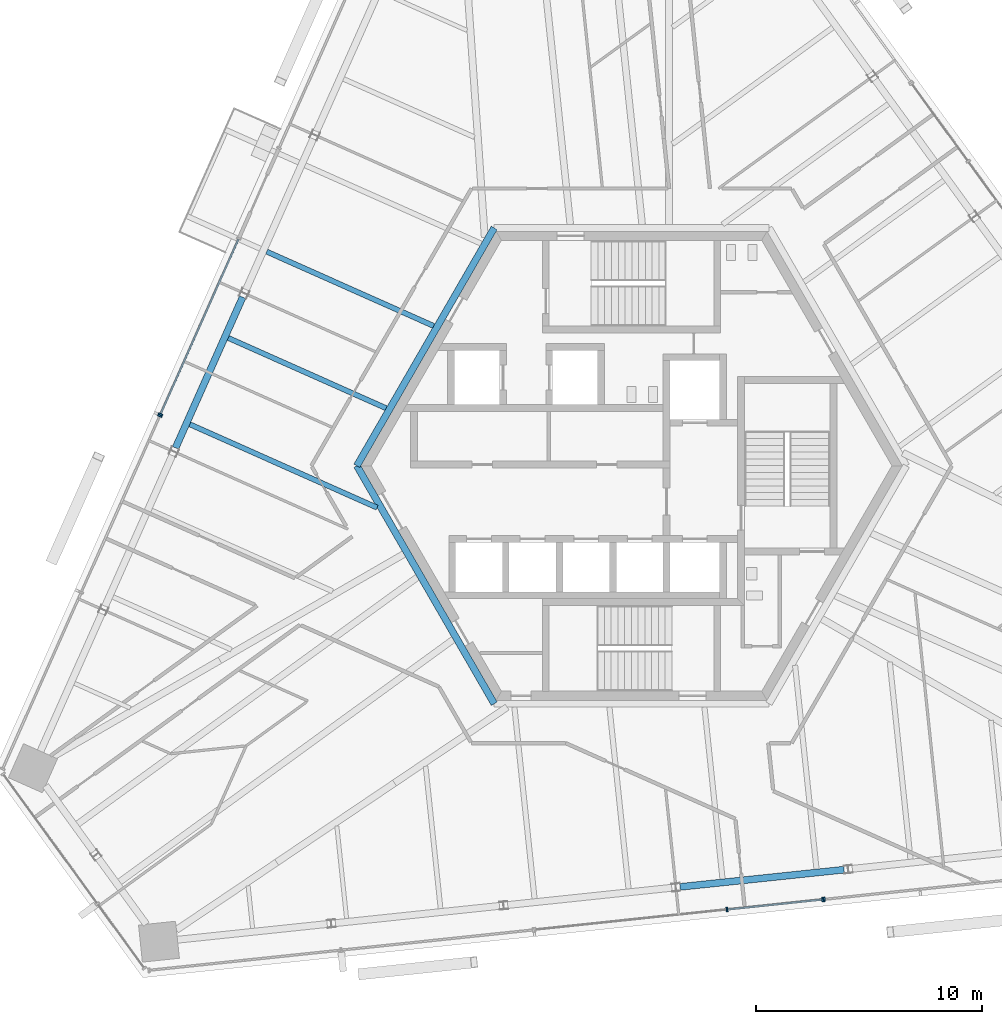
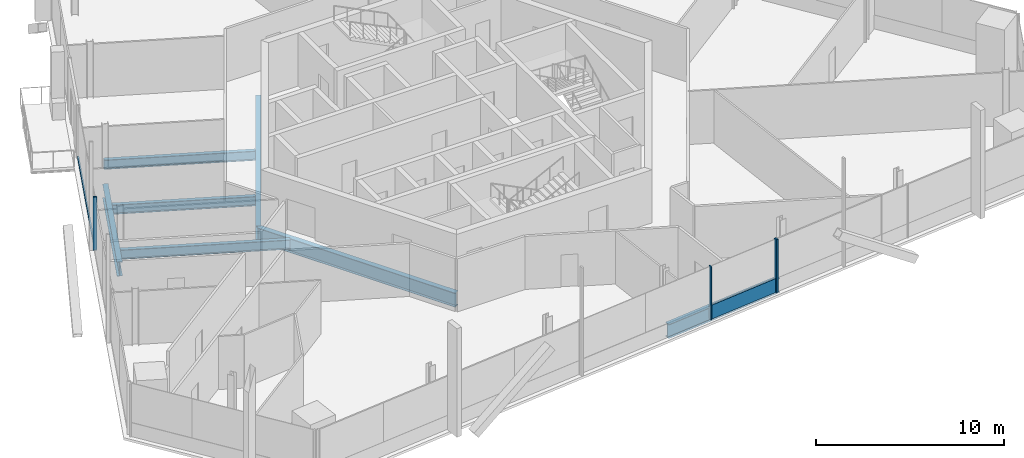
# One storey, part 5 of 20: 7 beams, 7 members, 4 elements without a shape of their own.
"""IFC4 building model written with IfcOpenShell, lengths in metres."""

import ifcopenshell
import ifcopenshell.guid

model = None  # the IFC model being written
_history = None  # IfcOwnerHistory: only IFC2X3 demands one
_inside = {}  # id of a spatial element -> (the spatial element, [elements in it])
_under = {}  # id of a project, library or spatial element -> (it, [spatial elements below it])
_declared = {}  # id of a project -> (the project, [libraries it declares])
_typed = {}  # id of a type object -> (the type object, [elements of that type])
_made_of = {}  # id of a material, layer set ... -> (it, [elements and type objects made of it])


def new_model(schema):
    """Start an empty IFC model of exactly this schema.

    Asked for "IFC4X3", IfcOpenShell would pick the latest addendum, in which some entities
    have other attributes; the version numbers below select the first issue.
    IFC2X3 requires an IfcOwnerHistory on every rooted entity: one is made here for all.
    """
    global model, _history
    if schema == "IFC4X3":
        model = ifcopenshell.file(schema_version=(4, 3, 0, 0))
    else:
        model = ifcopenshell.file(schema=schema)
    _inside.clear()
    _under.clear()
    _declared.clear()
    _typed.clear()
    _made_of.clear()
    _history = None
    if model.schema == "IFC2X3":
        org = make("IfcOrganization", Name="unknown")
        user = make(
            "IfcPersonAndOrganization",
            ThePerson=make("IfcPerson", FamilyName="unknown"),
            TheOrganization=org,
        )
        app = make(
            "IfcApplication",
            ApplicationDeveloper=org,
            Version="unknown",
            ApplicationFullName="unknown",
            ApplicationIdentifier="unknown",
        )
        _history = make(
            "IfcOwnerHistory",
            OwningUser=user,
            OwningApplication=app,
            ChangeAction="ADDED",
            CreationDate=0,
        )
    return model


def make(cls, **values):
    """One entity of the class cls with the attributes given. An attribute that is None is left unset."""
    return model.create_entity(
        cls, **{name: value for name, value in values.items() if value is not None}
    )


def rooted(cls, **values):
    """An entity with a GlobalId (a new one), such as an element, a storey or a relation."""
    return make(cls, GlobalId=ifcopenshell.guid.new(), OwnerHistory=_history, **values)


def si_unit(unit_type, name, prefix=None):
    """IfcSIUnit, for example si_unit("LENGTHUNIT", "METRE", prefix="MILLI")."""
    return make("IfcSIUnit", UnitType=unit_type, Prefix=prefix, Name=name)


def assignment(units):
    """IfcUnitAssignment: the units of a project."""
    return None if units is None else make("IfcUnitAssignment", Units=units)


def point(xyz):
    """IfcCartesianPoint."""
    return None if xyz is None else make("IfcCartesianPoint", Coordinates=xyz)


def direction(xyz):
    """IfcDirection."""
    return None if xyz is None else make("IfcDirection", DirectionRatios=xyz)


def frame(location, z_axis=None, x_axis=None):
    """IfcAxis2Placement3D, a coordinate frame: its origin and axes. An axis left out is left unset."""
    return make(
        "IfcAxis2Placement3D",
        Location=point(location),
        Axis=direction(z_axis),
        RefDirection=direction(x_axis),
    )


def frame_2d(location, x_axis=None):
    """IfcAxis2Placement2D, a coordinate frame in the plane: its origin and x axis."""
    return make(
        "IfcAxis2Placement2D", Location=point(location), RefDirection=direction(x_axis)
    )


def origin():
    """The frame at (0, 0, 0) with its axes left unset."""
    return frame((0.0, 0.0, 0.0))


def origin_2d():
    """The frame at (0, 0) in the plane with its x axis left unset."""
    return frame_2d((0.0, 0.0))


def place(relative_to, where):
    """IfcLocalPlacement: puts the frame where relative to a parent placement (None: the world)."""
    return make(
        "IfcLocalPlacement", PlacementRelTo=relative_to, RelativePlacement=where
    )


def context(
    kind, dimensions, precision=None, world=None, true_north=None, identifier=None
):
    """IfcGeometricRepresentationContext, for example the 3D "Model" context."""
    return make(
        "IfcGeometricRepresentationContext",
        ContextIdentifier=identifier,
        ContextType=kind,
        CoordinateSpaceDimension=dimensions,
        Precision=precision,
        WorldCoordinateSystem=world,
        TrueNorth=true_north,
    )


def subcontext(parent, identifier, kind, view, scale=None):
    """IfcGeometricRepresentationSubContext, for example "Body" below "Model"."""
    return make(
        "IfcGeometricRepresentationSubContext",
        ContextIdentifier=identifier,
        ContextType=kind,
        ParentContext=parent,
        TargetScale=scale,
        TargetView=view,
    )


def project(units=None, contexts=None):
    """IfcProject with its units and contexts."""
    return rooted(
        "IfcProject",
        Name="project",
        RepresentationContexts=contexts,
        UnitsInContext=assignment(units),
    )


def spatial(cls, under=None, at=None, **own):
    """A site, building, storey or space (cls), placed at a placement, below another one or the project."""
    s = rooted(cls, ObjectPlacement=at, **own)
    if under is not None:
        _under.setdefault(under.id(), (under, []))[1].append(s)
    return s


def profile(cls, at=None, kind="AREA", **sizes):
    """A parametric profile (cls). Its sizes go by their IFC names, for example OverallWidth=200.0."""
    return make(cls, ProfileType=kind, Position=at, **sizes)


def rectangle(**sizes):
    """IfcRectangleProfileDef."""
    return profile("IfcRectangleProfileDef", **sizes)


def i_section(**sizes):
    """IfcIShapeProfileDef."""
    return profile("IfcIShapeProfileDef", **sizes)


def extrude(swept, where, along, depth):
    """IfcExtrudedAreaSolid: the profile swept, set in the frame where, extruded along a direction by depth."""
    return make(
        "IfcExtrudedAreaSolid",
        SweptArea=swept,
        Position=where,
        ExtrudedDirection=direction(along),
        Depth=depth,
    )


def shape(context_of_items, identifier, shape_type, items):
    """IfcShapeRepresentation: the items that make up one representation, for example the "Body"."""
    return make(
        "IfcShapeRepresentation",
        ContextOfItems=context_of_items,
        RepresentationIdentifier=identifier,
        RepresentationType=shape_type,
        Items=items,
    )


def source(mapping_origin, context_of_items, identifier, shape_type, items):
    """IfcRepresentationMap: a shape defined once, which mapped items show again and again."""
    return make(
        "IfcRepresentationMap",
        MappingOrigin=mapping_origin,
        MappedRepresentation=shape(context_of_items, identifier, shape_type, items),
    )


def transform(
    local_origin,
    x_axis=None,
    y_axis=None,
    z_axis=None,
    scale=None,
    scale2=None,
    scale3=None,
    uniform=True,
):
    """IfcCartesianTransformationOperator3D, or its non-uniform kind. x_axis, y_axis, z_axis: its Axis1, 2, 3."""
    if uniform:
        return make(
            "IfcCartesianTransformationOperator3D",
            Axis1=direction(x_axis),
            Axis2=direction(y_axis),
            LocalOrigin=point(local_origin),
            Scale=scale,
            Axis3=direction(z_axis),
        )
    return make(
        "IfcCartesianTransformationOperator3DnonUniform",
        Axis1=direction(x_axis),
        Axis2=direction(y_axis),
        LocalOrigin=point(local_origin),
        Scale=scale,
        Axis3=direction(z_axis),
        Scale2=scale2,
        Scale3=scale3,
    )


def mapped(mapping_source, mapping_target):
    """IfcMappedItem: shows the shape of a source again, moved by a transform."""
    return make(
        "IfcMappedItem", MappingSource=mapping_source, MappingTarget=mapping_target
    )


def material(Name=None, Category=None):
    """IfcMaterial."""
    return make("IfcMaterial", Name=Name, Category=Category)


def material_profile(
    of_material, cross_section, Name=None, Category=None, Priority=None
):
    """IfcMaterialProfile: a cross section and its material."""
    return make(
        "IfcMaterialProfile",
        Name=Name,
        Material=of_material,
        Profile=cross_section,
        Priority=Priority,
        Category=Category,
    )


def profile_set(profiles, Name=None, composite=None):
    """IfcMaterialProfileSet."""
    return make(
        "IfcMaterialProfileSet",
        Name=Name,
        MaterialProfiles=profiles,
        CompositeProfile=composite,
    )


def made_of(thing, what):
    """Note that an element or type object is made of a material, layer set ...; save() writes the relation."""
    if what is not None:
        _made_of.setdefault(what.id(), (what, []))[1].append(thing)
    return thing


def type_object(cls, material=None, **own):
    """A type object (cls), such as IfcWallType, which elements share."""
    return made_of(rooted(cls, **own), material)


def element(
    cls,
    number,
    at=None,
    inside=None,
    cuts=None,
    type_object=None,
    material=None,
    context=None,
    identifier="Body",
    shape_type=None,
    held_by="IfcProductDefinitionShape",
    body=None,
    shapes=None,
    **own,
):
    """One element of the class cls, such as IfcWall. Its Tag is "e" and its number.

    at: its placement. inside: the storey or other place that contains it. cuts: it is an
    opening in that element (IfcRelVoidsElement). A single representation is given by context,
    identifier, shape_type and body (its items); several are given by shapes. held_by: the class
    of the entity that holds the representations. save() writes the other relations.
    """
    e = rooted(cls, Tag="e%d" % number, ObjectPlacement=at, **own)
    if body is not None:
        shapes = [shape(context, identifier, shape_type, body)]
    if shapes is not None:
        e.Representation = make(held_by, Representations=shapes)
    if inside is not None:
        _inside.setdefault(inside.id(), (inside, []))[1].append(e)
    if cuts is not None:
        rooted(
            "IfcRelVoidsElement", RelatingBuildingElement=cuts, RelatedOpeningElement=e
        )
    if type_object is not None:
        _typed.setdefault(type_object.id(), (type_object, []))[1].append(e)
    return made_of(e, material)


def aggregate(whole, parts):
    """IfcRelAggregates: a whole, such as a stair, and the parts it consists of."""
    return rooted("IfcRelAggregates", RelatingObject=whole, RelatedObjects=parts)


def save(model, path):
    """Write the relations noted so far, then the file.

    IfcRelAggregates (storeys below a building ...), IfcRelContainedInSpatialStructure (elements
    in a storey), IfcRelDefinesByType, IfcRelAssociatesMaterial and IfcRelDeclares: one each for
    every whole, place, type object, material and project.
    """
    for whole, parts in _under.values():
        aggregate(whole, parts)
    for where, things in _inside.values():
        rooted(
            "IfcRelContainedInSpatialStructure",
            RelatedElements=things,
            RelatingStructure=where,
        )
    for kind, things in _typed.values():
        rooted("IfcRelDefinesByType", RelatedObjects=things, RelatingType=kind)
    for what, things in _made_of.values():
        rooted("IfcRelAssociatesMaterial", RelatedObjects=things, RelatingMaterial=what)
    for by, libraries in _declared.values():
        rooted("IfcRelDeclares", RelatingContext=by, RelatedDefinitions=libraries)
    model.write(path)


model = new_model("IFC4")

# Units and contexts
model_context = context("Model", 3, precision=1e-05, world=origin(), true_north=direction((0.0, 1.0)))
body_context = subcontext(model_context, "Body", "Model", "MODEL_VIEW")
ifc_project = project(units=[si_unit("LENGTHUNIT", "METRE"), si_unit("AREAUNIT", "SQUARE_METRE"), si_unit("VOLUMEUNIT", "CUBIC_METRE"), si_unit("PLANEANGLEUNIT", "RADIAN"), si_unit("MASSUNIT", "GRAM", prefix="KILO")], contexts=[model_context])

# Site, building, storey
site_placement = place(None, origin())
site = spatial("IfcSite", under=ifc_project, at=site_placement, CompositionType="ELEMENT")
building_placement = place(site_placement, origin())
building = spatial("IfcBuilding", under=site, at=building_placement, Name="Triune Harvest Tower", CompositionType="ELEMENT")
storey_placement = place(building_placement, frame((0.0, 0.0, 226.89990234375)))
storey = spatial("IfcBuildingStorey", under=building, at=storey_placement, Name="L59", CompositionType="ELEMENT", Elevation=226.89990234375)

# Curtain wall, member
ifc_material_1 = material(Name="Aluminium bronze anodised", Category="aluminium")
curtain_wall_type_1 = type_object("IfcCurtainWallType", Name="CW-6 Balcony window wall", PredefinedType="NOTDEFINED", material=ifc_material_1)
curtain_wall_1_placement = place(storey_placement, origin())
curtain_wall_1 = element("IfcCurtainWall", 1, at=curtain_wall_1_placement, inside=storey, type_object=curtain_wall_type_1, Name="CW-6 B6-F3 L59 run 2")
ifc_material_2 = material(Name="Aluminium bronze anodised", Category="aluminium")
ifc_material_profile_1 = material_profile(ifc_material_2, rectangle(XDim=0.090087890625, YDim=0.14990234375, at=origin_2d()), Name="TR-6 transom 90 x 150")
ifc_profile_set_1 = profile_set([ifc_material_profile_1], Name="Aluminium bronze anodised")
member_type_1 = type_object("IfcMemberType", Name="TR-6 transom 90 x 150", PredefinedType="USERDEFINED", material=ifc_profile_set_1)
member_1_placement = place(storey_placement, frame((-17.4267578125, 10.039306640625, 0.0751953125), z_axis=(-0.406746686796, -0.913540985824, 0.0), x_axis=(0.913540985824, -0.406746686796, 0.0)))
member_1 = element("IfcMember", 2, at=member_1_placement, type_object=member_type_1, Name="CW-6 transom B6-F3 2.1", ObjectType="TRANSOM", PredefinedType="USERDEFINED", context=body_context, shape_type="SweptSolid", body=[
    extrude(rectangle(XDim=0.090087890625, YDim=0.14990234375, at=origin_2d()), origin(), (0.0, 0.0, 1.0), 8.453125),
])

# Beams
ifc_material_3 = material(Name="Steel ASTM A992 Gr 50", Category="steel")
ifc_material_profile_2 = material_profile(ifc_material_3, i_section(OverallWidth=0.3046875, OverallDepth=0.914306640625, WebThickness=0.0166015625, FlangeThickness=0.02587890625, at=origin_2d()), Name="W36x160")
ifc_profile_set_2 = profile_set([ifc_material_profile_2], Name="Steel ASTM A992 Gr 50")
beam_type_1 = type_object("IfcBeamType", Name="CG-1 Core ring girder W36x160", PredefinedType="BEAM", material=ifc_profile_set_2)
shared_shape_1 = source(origin(), body_context, "Body", "SweptSolid", [
    extrude(i_section(OverallWidth=0.3046875, OverallDepth=0.914306640625, WebThickness=0.0166015625, FlangeThickness=0.02587890625, at=origin_2d()), origin(), (0.0, 0.0, 1.0), 12.176025390625),
])
for number, where, z_axis, x_axis, name in (
    (3, (-6.087890625, 10.544677734375, -0.6171875), (-0.5000099932, -0.866019634131, 0.0), (0.866019634131, -0.5000099932, 0.0), "beam/L59/CG3"),
    (4, (-12.176025390625, 0.0, -0.6171875), (0.5000099932, -0.866019634131, 0.0), (0.866019634131, 0.5000099932, 0.0), "beam/L59/CG4"),
):
    element("IfcBeam", number, at=place(storey_placement, frame(where, z_axis=z_axis, x_axis=x_axis)), inside=storey, type_object=beam_type_1, Name=name, PredefinedType="BEAM", context=body_context, shape_type="MappedRepresentation", body=[
        mapped(shared_shape_1, transform((0.0, 0.0, 0.0), scale=1.0)),
    ])
ifc_material_4 = material(Name="Steel ASTM A992 Gr 50", Category="steel")
ifc_material_profile_3 = material_profile(ifc_material_4, i_section(OverallWidth=0.3046875, OverallDepth=0.914306640625, WebThickness=0.0166015625, FlangeThickness=0.02587890625, at=origin_2d()), Name="W36x160")
ifc_profile_set_3 = profile_set([ifc_material_profile_3], Name="Steel ASTM A992 Gr 50")
beam_type_2 = type_object("IfcBeamType", Name="SB-1 Spandrel beam W36x160", PredefinedType="SPANDREL", material=ifc_profile_set_3)
shared_shape_2 = source(origin(), body_context, "Body", "SweptSolid", [
    extrude(i_section(OverallWidth=0.3046875, OverallDepth=0.914306640625, WebThickness=0.0166015625, FlangeThickness=0.02587890625, at=origin_2d()), origin(), (0.0, 0.0, 1.0), 7.311279296875),
])
for number, where, z_axis, x_axis, name in (
    (5, (-17.238525390625, 7.4736328125, -0.6171875), (-0.406748727305, -0.913540077301, 0.0), (0.913540077301, -0.406748727305, 0.0), "beam/L59/SB12"),
    (6, (2.14697265625, -18.665771484375, -0.6171875), (0.994523004189, 0.104517913008, 0.0), (-0.104517913008, 0.994523004189, 0.0), "beam/L59/SB20"),
):
    element("IfcBeam", number, at=place(storey_placement, frame(where, z_axis=z_axis, x_axis=x_axis)), inside=storey, type_object=beam_type_2, Name=name, PredefinedType="SPANDREL", context=body_context, shape_type="MappedRepresentation", body=[
        mapped(shared_shape_2, transform((0.0, 0.0, 0.0), scale=1.0)),
    ])
ifc_material_5 = material(Name="Steel ASTM A992 Gr 50", Category="steel")
ifc_material_profile_4 = material_profile(ifc_material_5, i_section(OverallWidth=0.22900390625, OverallDepth=0.612060546875, WebThickness=0.011962890625, FlangeThickness=0.01953125, at=origin_2d()), Name="W24x84")
ifc_profile_set_4 = profile_set([ifc_material_profile_4], Name="Steel ASTM A992 Gr 50")
beam_type_3 = type_object("IfcBeamType", Name="JT-3 Floor joist W24x84", PredefinedType="JOIST", material=ifc_profile_set_4)
shared_shape_3 = source(origin(), body_context, "Body", "SweptSolid", [
    extrude(i_section(OverallWidth=0.22900390625, OverallDepth=0.612060546875, WebThickness=0.011962890625, FlangeThickness=0.01953125, at=origin_2d()), origin(), (0.0, 0.0, 1.0), 8.099609375),
])
beam_1_placement = place(storey_placement, frame((-16.172607421875, 9.4931640625, -0.466064453125), z_axis=(0.913545356779, -0.406736869618, 0.0), x_axis=(0.406736869618, 0.913545356779, 0.0)))
element("IfcBeam", 7, at=beam_1_placement, inside=storey, type_object=beam_type_3, Name="beam/L59/JT17", PredefinedType="JOIST", context=body_context, shape_type="MappedRepresentation", body=[
    mapped(shared_shape_3, transform((0.0, 0.0, 0.0), scale=1.0)),
])
shared_shape_4 = source(origin(), body_context, "Body", "SweptSolid", [
    extrude(i_section(OverallWidth=0.22900390625, OverallDepth=0.612060546875, WebThickness=0.011962890625, FlangeThickness=0.01953125, at=origin_2d()), origin(), (0.0, 0.0, 1.0), 7.659423828125),
])
beam_2_placement = place(storey_placement, frame((-17.876220703125, 5.66650390625, -0.466064453125), z_axis=(0.913536623341, -0.406756484663, 0.0), x_axis=(0.406756484663, 0.913536623341, 0.0)))
element("IfcBeam", 8, at=beam_2_placement, inside=storey, type_object=beam_type_3, Name="beam/L59/JT18", PredefinedType="JOIST", context=body_context, shape_type="MappedRepresentation", body=[
    mapped(shared_shape_4, transform((0.0, 0.0, 0.0), scale=1.0)),
])
shared_shape_5 = source(origin(), body_context, "Body", "SweptSolid", [
    extrude(i_section(OverallWidth=0.22900390625, OverallDepth=0.612060546875, WebThickness=0.011962890625, FlangeThickness=0.01953125, at=origin_2d()), origin(), (0.0, 0.0, 1.0), 9.084716796875),
])
beam_3_placement = place(storey_placement, frame((-19.580078125, 1.83984375, -0.466064453125), z_axis=(0.913546495421, -0.406734312179, 0.0), x_axis=(0.406734312179, 0.913546495421, 0.0)))
element("IfcBeam", 9, at=beam_3_placement, inside=storey, type_object=beam_type_3, Name="beam/L59/JT19", PredefinedType="JOIST", context=body_context, shape_type="MappedRepresentation", body=[
    mapped(shared_shape_5, transform((0.0, 0.0, 0.0), scale=1.0)),
])

# Curtain wall, members
ifc_material_6 = material(Name="Aluminium bronze anodised", Category="aluminium")
curtain_wall_type_2 = type_object("IfcCurtainWallType", Name="CW-1 Tower stick curtain wall", PredefinedType="NOTDEFINED", material=ifc_material_6)
curtain_wall_2_placement = place(storey_placement, origin())
curtain_wall_2 = element("IfcCurtainWall", 10, at=curtain_wall_2_placement, inside=storey, type_object=curtain_wall_type_2, Name="CW-1 B6-F5 L59 run 1001")
ifc_material_7 = material(Name="Aluminium bronze anodised", Category="aluminium")
ifc_material_profile_5 = material_profile(ifc_material_7, rectangle(XDim=0.199951171875, YDim=0.074951171875, at=origin_2d()), Name="MU-1 mullion 75 x 200")
ifc_profile_set_5 = profile_set([ifc_material_profile_5], Name="Aluminium bronze anodised")
member_type_2 = type_object("IfcMemberType", Name="MU-1 mullion 75 x 200", PredefinedType="MULLION", material=ifc_profile_set_5)
shared_shape_6 = source(origin(), body_context, "Body", "SweptSolid", [
    extrude(rectangle(XDim=0.199951171875, YDim=0.074951171875, at=origin_2d()), origin(), (0.0, 0.0, 1.0), 3.440185546875),
])
member_2_placement = place(storey_placement, frame((4.229248046875, -19.669189453125, 0.0), z_axis=(0.0, 0.0, 1.0), x_axis=(-0.104535075084, 0.994521200416, 0.0)))
member_2 = element("IfcMember", 11, at=member_2_placement, type_object=member_type_2, Name="CW-1 mullion B6-F5 1001.3", PredefinedType="MULLION", context=body_context, shape_type="MappedRepresentation", body=[
    mapped(shared_shape_6, transform((0.0, 0.0, 0.0), scale=1.0)),
])
member_3_placement = place(storey_placement, frame((8.46826171875, -19.2236328125, 0.0), z_axis=(0.0, 0.0, 1.0), x_axis=(-0.104535075084, 0.994521200416, 0.0)))
member_3 = element("IfcMember", 12, at=member_3_placement, type_object=member_type_2, Name="CW-1 mullion B6-F5 1001.4", PredefinedType="MULLION", context=body_context, shape_type="MappedRepresentation", body=[
    mapped(shared_shape_6, transform((0.0, 0.0, 0.0), scale=1.0)),
])

# Curtain wall, member
ifc_material_8 = material(Name="Aluminium bronze anodised", Category="aluminium")
curtain_wall_type_3 = type_object("IfcCurtainWallType", Name="CW-7 Tower stick curtain wall with insulated spandrel infill", PredefinedType="NOTDEFINED", material=ifc_material_8)
curtain_wall_3_placement = place(storey_placement, origin())
curtain_wall_3 = element("IfcCurtainWall", 13, at=curtain_wall_3_placement, inside=storey, type_object=curtain_wall_type_3, Name="CW-7 B6-F5 L59 run 2001")
member_4_placement = place(storey_placement, frame((8.54296875, -19.215576171875, 0.0), z_axis=(0.0, 0.0, 1.0), x_axis=(-0.104527917264, 0.994521952755, 0.0)))
member_4 = element("IfcMember", 14, at=member_4_placement, type_object=member_type_2, Name="CW-7 mullion B6-F5 2001.1", PredefinedType="MULLION", context=body_context, shape_type="MappedRepresentation", body=[
    mapped(shared_shape_6, transform((0.0, 0.0, 0.0), scale=1.0)),
])
aggregate(curtain_wall_3, [member_4])

# Member
ifc_material_9 = material(Name="Aluminium bronze anodised", Category="aluminium")
ifc_material_profile_6 = material_profile(ifc_material_9, rectangle(XDim=0.199951171875, YDim=0.074951171875, at=origin_2d()), Name="MU-6 mullion 75 x 200")
ifc_profile_set_6 = profile_set([ifc_material_profile_6], Name="Aluminium bronze anodised")
member_type_3 = type_object("IfcMemberType", Name="MU-6 mullion 75 x 200", PredefinedType="MULLION", material=ifc_profile_set_6)
shared_shape_7 = source(origin(), body_context, "Body", "SweptSolid", [
    extrude(rectangle(XDim=0.199951171875, YDim=0.074951171875, at=origin_2d()), origin(), (0.0, 0.0, 1.0), 3.440185546875),
])
member_5_placement = place(storey_placement, frame((-20.880126953125, 2.282958984375, 0.0), z_axis=(0.0, 0.0, 1.0), x_axis=(0.913543658313, -0.406740684413, 0.0)))
member_5 = element("IfcMember", 15, at=member_5_placement, type_object=member_type_3, Name="CW-6 mullion B6-F3 2.3", PredefinedType="MULLION", context=body_context, shape_type="MappedRepresentation", body=[
    mapped(shared_shape_7, transform((0.0, 0.0, 0.0), scale=1.0)),
])

aggregate(curtain_wall_1, [member_5, member_1])

# Curtain wall, member
ifc_material_10 = material(Name="Aluminium bronze anodised", Category="aluminium")
curtain_wall_type_4 = type_object("IfcCurtainWallType", Name="CW-10 Balcony window wall with insulated spandrel infill", PredefinedType="NOTDEFINED", material=ifc_material_10)
curtain_wall_4_placement = place(storey_placement, origin())
curtain_wall_4 = element("IfcCurtainWall", 16, at=curtain_wall_4_placement, inside=storey, type_object=curtain_wall_type_4, Name="CW-10 B6-F3 L59 run 1002")
member_6_placement = place(storey_placement, frame((-20.91064453125, 2.21435546875, 0.0), z_axis=(0.0, 0.0, 1.0), x_axis=(0.913545509699, -0.406736526156, 0.0)))
member_6 = element("IfcMember", 17, at=member_6_placement, type_object=member_type_3, Name="CW-10 mullion B6-F3 1002.1", PredefinedType="MULLION", context=body_context, shape_type="MappedRepresentation", body=[
    mapped(shared_shape_7, transform((0.0, 0.0, 0.0), scale=1.0)),
])
aggregate(curtain_wall_4, [member_6])

# Member
ifc_material_11 = material(Name="Aluminium bronze anodised", Category="aluminium")
ifc_material_profile_7 = material_profile(ifc_material_11, rectangle(XDim=0.090087890625, YDim=0.89990234375, at=origin_2d()), Name="TR-1 transom 90 x 900")
ifc_profile_set_7 = profile_set([ifc_material_profile_7], Name="Aluminium bronze anodised")
member_type_4 = type_object("IfcMemberType", Name="TR-1 transom 90 x 900", PredefinedType="USERDEFINED", material=ifc_profile_set_7)
shared_shape_8 = source(origin(), body_context, "Body", "SweptSolid", [
    extrude(rectangle(XDim=0.090087890625, YDim=0.89990234375, at=origin_2d()), origin(), (0.0, 0.0, 1.0), 4.1875),
])
member_7_placement = place(storey_placement, frame((4.266357421875, -19.665283203125, 0.4501953125), z_axis=(0.994521095578, 0.10453607248, 0.0), x_axis=(-0.10453607248, 0.994521095578, 0.0)))
member_7 = element("IfcMember", 18, at=member_7_placement, type_object=member_type_4, Name="CW-1 transom B6-F5 1001.2", ObjectType="TRANSOM", PredefinedType="USERDEFINED", context=body_context, shape_type="MappedRepresentation", body=[
    mapped(shared_shape_8, transform((0.0, 0.0, 0.0), scale=1.0)),
])

aggregate(curtain_wall_2, [member_2, member_3, member_7])

save(model, "model.ifc")
